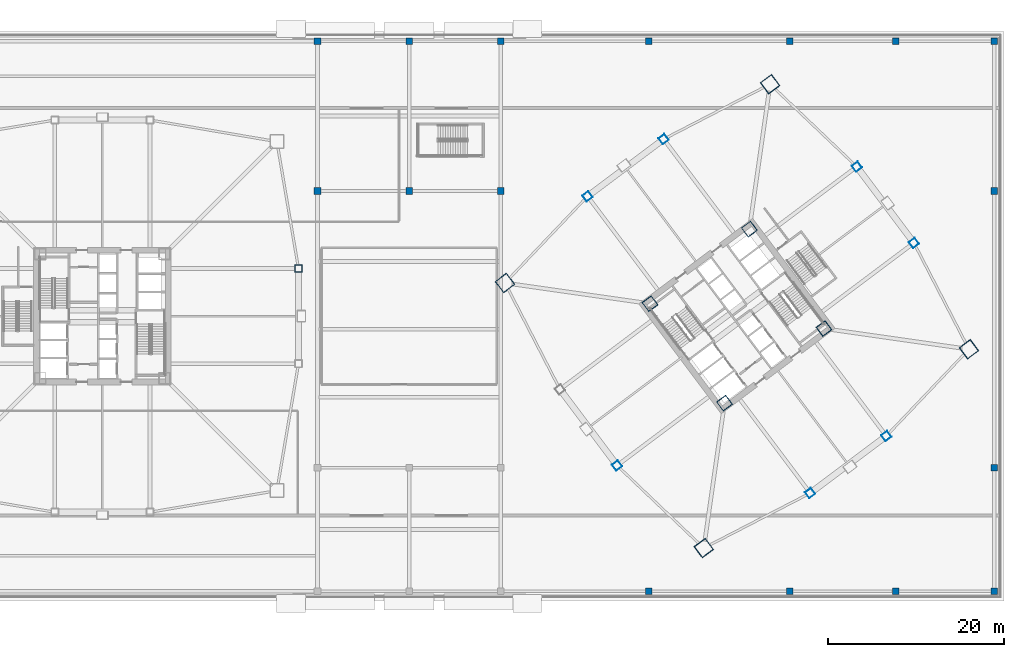
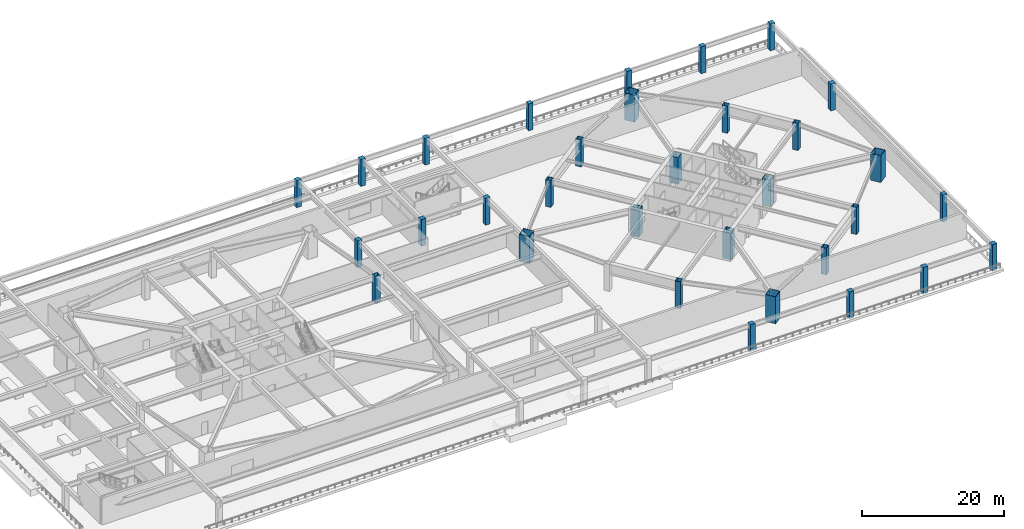
# One storey, part 2 of 21: 32 columns.
"""IFC4 building model written with IfcOpenShell, lengths in metres."""

import ifcopenshell
import ifcopenshell.guid

model = None  # the IFC model being written
_history = None  # IfcOwnerHistory: only IFC2X3 demands one
_inside = {}  # id of a spatial element -> (the spatial element, [elements in it])
_under = {}  # id of a project, library or spatial element -> (it, [spatial elements below it])
_declared = {}  # id of a project -> (the project, [libraries it declares])
_typed = {}  # id of a type object -> (the type object, [elements of that type])
_made_of = {}  # id of a material, layer set ... -> (it, [elements and type objects made of it])


def new_model(schema):
    """Start an empty IFC model of exactly this schema.

    Asked for "IFC4X3", IfcOpenShell would pick the latest addendum, in which some entities
    have other attributes; the version numbers below select the first issue.
    IFC2X3 requires an IfcOwnerHistory on every rooted entity: one is made here for all.
    """
    global model, _history
    if schema == "IFC4X3":
        model = ifcopenshell.file(schema_version=(4, 3, 0, 0))
    else:
        model = ifcopenshell.file(schema=schema)
    _inside.clear()
    _under.clear()
    _declared.clear()
    _typed.clear()
    _made_of.clear()
    _history = None
    if model.schema == "IFC2X3":
        org = make("IfcOrganization", Name="unknown")
        user = make(
            "IfcPersonAndOrganization",
            ThePerson=make("IfcPerson", FamilyName="unknown"),
            TheOrganization=org,
        )
        app = make(
            "IfcApplication",
            ApplicationDeveloper=org,
            Version="unknown",
            ApplicationFullName="unknown",
            ApplicationIdentifier="unknown",
        )
        _history = make(
            "IfcOwnerHistory",
            OwningUser=user,
            OwningApplication=app,
            ChangeAction="ADDED",
            CreationDate=0,
        )
    return model


def make(cls, **values):
    """One entity of the class cls with the attributes given. An attribute that is None is left unset."""
    return model.create_entity(
        cls, **{name: value for name, value in values.items() if value is not None}
    )


def rooted(cls, **values):
    """An entity with a GlobalId (a new one), such as an element, a storey or a relation."""
    return make(cls, GlobalId=ifcopenshell.guid.new(), OwnerHistory=_history, **values)


def si_unit(unit_type, name, prefix=None):
    """IfcSIUnit, for example si_unit("LENGTHUNIT", "METRE", prefix="MILLI")."""
    return make("IfcSIUnit", UnitType=unit_type, Prefix=prefix, Name=name)


def assignment(units):
    """IfcUnitAssignment: the units of a project."""
    return None if units is None else make("IfcUnitAssignment", Units=units)


def point(xyz):
    """IfcCartesianPoint."""
    return None if xyz is None else make("IfcCartesianPoint", Coordinates=xyz)


def direction(xyz):
    """IfcDirection."""
    return None if xyz is None else make("IfcDirection", DirectionRatios=xyz)


def frame(location, z_axis=None, x_axis=None):
    """IfcAxis2Placement3D, a coordinate frame: its origin and axes. An axis left out is left unset."""
    return make(
        "IfcAxis2Placement3D",
        Location=point(location),
        Axis=direction(z_axis),
        RefDirection=direction(x_axis),
    )


def frame_2d(location, x_axis=None):
    """IfcAxis2Placement2D, a coordinate frame in the plane: its origin and x axis."""
    return make(
        "IfcAxis2Placement2D", Location=point(location), RefDirection=direction(x_axis)
    )


def origin():
    """The frame at (0, 0, 0) with its axes left unset."""
    return frame((0.0, 0.0, 0.0))


def origin_2d():
    """The frame at (0, 0) in the plane with its x axis left unset."""
    return frame_2d((0.0, 0.0))


def place(relative_to, where):
    """IfcLocalPlacement: puts the frame where relative to a parent placement (None: the world)."""
    return make(
        "IfcLocalPlacement", PlacementRelTo=relative_to, RelativePlacement=where
    )


def context(
    kind, dimensions, precision=None, world=None, true_north=None, identifier=None
):
    """IfcGeometricRepresentationContext, for example the 3D "Model" context."""
    return make(
        "IfcGeometricRepresentationContext",
        ContextIdentifier=identifier,
        ContextType=kind,
        CoordinateSpaceDimension=dimensions,
        Precision=precision,
        WorldCoordinateSystem=world,
        TrueNorth=true_north,
    )


def subcontext(parent, identifier, kind, view, scale=None):
    """IfcGeometricRepresentationSubContext, for example "Body" below "Model"."""
    return make(
        "IfcGeometricRepresentationSubContext",
        ContextIdentifier=identifier,
        ContextType=kind,
        ParentContext=parent,
        TargetScale=scale,
        TargetView=view,
    )


def project(units=None, contexts=None):
    """IfcProject with its units and contexts."""
    return rooted(
        "IfcProject",
        Name="project",
        RepresentationContexts=contexts,
        UnitsInContext=assignment(units),
    )


def spatial(cls, under=None, at=None, **own):
    """A site, building, storey or space (cls), placed at a placement, below another one or the project."""
    s = rooted(cls, ObjectPlacement=at, **own)
    if under is not None:
        _under.setdefault(under.id(), (under, []))[1].append(s)
    return s


def profile(cls, at=None, kind="AREA", **sizes):
    """A parametric profile (cls). Its sizes go by their IFC names, for example OverallWidth=200.0."""
    return make(cls, ProfileType=kind, Position=at, **sizes)


def rectangle(**sizes):
    """IfcRectangleProfileDef."""
    return profile("IfcRectangleProfileDef", **sizes)


def hollow_rectangle(**sizes):
    """IfcRectangleHollowProfileDef."""
    return profile("IfcRectangleHollowProfileDef", **sizes)


def extrude(swept, where, along, depth):
    """IfcExtrudedAreaSolid: the profile swept, set in the frame where, extruded along a direction by depth."""
    return make(
        "IfcExtrudedAreaSolid",
        SweptArea=swept,
        Position=where,
        ExtrudedDirection=direction(along),
        Depth=depth,
    )


def shape(context_of_items, identifier, shape_type, items):
    """IfcShapeRepresentation: the items that make up one representation, for example the "Body"."""
    return make(
        "IfcShapeRepresentation",
        ContextOfItems=context_of_items,
        RepresentationIdentifier=identifier,
        RepresentationType=shape_type,
        Items=items,
    )


def material(Name=None, Category=None):
    """IfcMaterial."""
    return make("IfcMaterial", Name=Name, Category=Category)


def material_profile(
    of_material, cross_section, Name=None, Category=None, Priority=None
):
    """IfcMaterialProfile: a cross section and its material."""
    return make(
        "IfcMaterialProfile",
        Name=Name,
        Material=of_material,
        Profile=cross_section,
        Priority=Priority,
        Category=Category,
    )


def profile_set(profiles, Name=None, composite=None):
    """IfcMaterialProfileSet."""
    return make(
        "IfcMaterialProfileSet",
        Name=Name,
        MaterialProfiles=profiles,
        CompositeProfile=composite,
    )


def made_of(thing, what):
    """Note that an element or type object is made of a material, layer set ...; save() writes the relation."""
    if what is not None:
        _made_of.setdefault(what.id(), (what, []))[1].append(thing)
    return thing


def type_object(cls, material=None, **own):
    """A type object (cls), such as IfcWallType, which elements share."""
    return made_of(rooted(cls, **own), material)


def element(
    cls,
    number,
    at=None,
    inside=None,
    cuts=None,
    type_object=None,
    material=None,
    context=None,
    identifier="Body",
    shape_type=None,
    held_by="IfcProductDefinitionShape",
    body=None,
    shapes=None,
    **own,
):
    """One element of the class cls, such as IfcWall. Its Tag is "e" and its number.

    at: its placement. inside: the storey or other place that contains it. cuts: it is an
    opening in that element (IfcRelVoidsElement). A single representation is given by context,
    identifier, shape_type and body (its items); several are given by shapes. held_by: the class
    of the entity that holds the representations. save() writes the other relations.
    """
    e = rooted(cls, Tag="e%d" % number, ObjectPlacement=at, **own)
    if body is not None:
        shapes = [shape(context, identifier, shape_type, body)]
    if shapes is not None:
        e.Representation = make(held_by, Representations=shapes)
    if inside is not None:
        _inside.setdefault(inside.id(), (inside, []))[1].append(e)
    if cuts is not None:
        rooted(
            "IfcRelVoidsElement", RelatingBuildingElement=cuts, RelatedOpeningElement=e
        )
    if type_object is not None:
        _typed.setdefault(type_object.id(), (type_object, []))[1].append(e)
    return made_of(e, material)


def aggregate(whole, parts):
    """IfcRelAggregates: a whole, such as a stair, and the parts it consists of."""
    return rooted("IfcRelAggregates", RelatingObject=whole, RelatedObjects=parts)


def save(model, path):
    """Write the relations noted so far, then the file.

    IfcRelAggregates (storeys below a building ...), IfcRelContainedInSpatialStructure (elements
    in a storey), IfcRelDefinesByType, IfcRelAssociatesMaterial and IfcRelDeclares: one each for
    every whole, place, type object, material and project.
    """
    for whole, parts in _under.values():
        aggregate(whole, parts)
    for where, things in _inside.values():
        rooted(
            "IfcRelContainedInSpatialStructure",
            RelatedElements=things,
            RelatingStructure=where,
        )
    for kind, things in _typed.values():
        rooted("IfcRelDefinesByType", RelatedObjects=things, RelatingType=kind)
    for what, things in _made_of.values():
        rooted("IfcRelAssociatesMaterial", RelatedObjects=things, RelatingMaterial=what)
    for by, libraries in _declared.values():
        rooted("IfcRelDeclares", RelatingContext=by, RelatedDefinitions=libraries)
    model.write(path)


model = new_model("IFC4")

# Units and contexts
model_context = context("Model", 3, precision=1e-05, world=origin(), true_north=direction((0.0, 1.0)))
body_context = subcontext(model_context, "Body", "Model", "MODEL_VIEW")
ifc_project = project(units=[si_unit("LENGTHUNIT", "METRE"), si_unit("AREAUNIT", "SQUARE_METRE"), si_unit("VOLUMEUNIT", "CUBIC_METRE"), si_unit("PLANEANGLEUNIT", "RADIAN"), si_unit("MASSUNIT", "GRAM", prefix="KILO")], contexts=[model_context])

# Site, building, storey
site_placement = place(None, origin())
site = spatial("IfcSite", under=ifc_project, at=site_placement, CompositionType="ELEMENT")
building_placement = place(site_placement, origin())
building = spatial("IfcBuilding", under=site, at=building_placement, Name="Tashvorn Skyway Center", CompositionType="ELEMENT")
storey_placement = place(building_placement, frame((0.0, 0.0, 19.800048828125)))
storey = spatial("IfcBuildingStorey", under=building, at=storey_placement, Name="L04", CompositionType="ELEMENT", Elevation=19.800048828125)

# Columns
ifc_material_1 = material(Name="Steel ASTM A572 Grade 50", Category="steel")
ifc_material_profile_1 = material_profile(ifc_material_1, hollow_rectangle(XDim=1.300048828125, YDim=1.300048828125, WallThickness=0.050048828125, at=origin_2d()), Name="BOX1300x1300x50")
ifc_profile_set_1 = profile_set([ifc_material_profile_1], Name="Steel ASTM A572 Grade 50")
column_type_1 = type_object("IfcColumnType", Name="COL-BOX1300x1300x50", PredefinedType="COLUMN", material=ifc_profile_set_1)
for number, where, z_axis, x_axis, name in (
    (1, (112.590087890625, 22.1298828125, 0.0), (0.0, 0.0, 1.0), (0.799999996291, 0.600000004945, 0.0), "Tower 2 L04 Core Corner Column CC-SW"),
    (2, (123.8701171875, 30.590087890625, 0.0), (0.0, 0.0, 1.0), (0.799999996291, 0.600000004945, 0.0), "Tower 2 L04 Core Corner Column CC-SE"),
    (3, (115.409912109375, 41.8701171875, 0.0), (0.0, 0.0, 1.0), (0.799999996291, 0.600000004945, 0.0), "Tower 2 L04 Core Corner Column CC-NE"),
    (4, (104.1298828125, 33.409912109375, 0.0), (0.0, 0.0, 1.0), (0.799999996291, 0.600000004945, 0.0), "Tower 2 L04 Core Corner Column CC-NW"),
):
    element("IfcColumn", number, at=place(storey_placement, frame(where, z_axis=z_axis, x_axis=x_axis)), inside=storey, type_object=column_type_1, Name=name, PredefinedType="COLUMN", context=body_context, shape_type="SweptSolid", body=[
        extrude(hollow_rectangle(XDim=1.300048828125, YDim=1.300048828125, WallThickness=0.050048828125, at=origin_2d()), origin(), (0.0, 0.0, 1.0), 4.599853515625),
    ])
ifc_material_profile_2 = material_profile(ifc_material_1, hollow_rectangle(XDim=1.60009765625, YDim=1.60009765625, WallThickness=0.06005859375, at=origin_2d()), Name="BOX1600x1600x60")
ifc_profile_set_2 = profile_set([ifc_material_profile_2], Name="Steel ASTM A572 Grade 50")
column_type_2 = type_object("IfcColumnType", Name="COL-BOX1600x1600x60", PredefinedType="COLUMN", material=ifc_profile_set_2)
for number, where, z_axis, x_axis, name in (
    (5, (110.239990234375, 5.679931640625, 0.0), (0.0, 0.0, 1.0), (0.799999996291, 0.600000004945, 0.0), "Tower 2 L04 Mega-Column MC-SW"),
    (6, (140.320068359375, 28.239990234375, 0.0), (0.0, 0.0, 1.0), (0.799999996291, 0.600000004945, 0.0), "Tower 2 L04 Mega-Column MC-SE"),
    (7, (117.760009765625, 58.320068359375, 0.0), (0.0, 0.0, 1.0), (0.799999996291, 0.600000004945, 0.0), "Tower 2 L04 Mega-Column MC-NE"),
    (8, (87.679931640625, 35.760009765625, 0.0), (0.0, 0.0, 1.0), (0.799999996291, 0.600000004945, 0.0), "Tower 2 L04 Mega-Column MC-NW"),
):
    element("IfcColumn", number, at=place(storey_placement, frame(where, z_axis=z_axis, x_axis=x_axis)), inside=storey, type_object=column_type_2, Name=name, PredefinedType="COLUMN", context=body_context, shape_type="SweptSolid", body=[
        extrude(hollow_rectangle(XDim=1.60009765625, YDim=1.60009765625, WallThickness=0.06005859375, at=origin_2d()), origin(), (0.0, 0.0, 1.0), 4.599853515625),
    ])
ifc_material_profile_3 = material_profile(ifc_material_1, hollow_rectangle(XDim=0.85009765625, YDim=0.85009765625, WallThickness=0.034912109375, at=origin_2d()), Name="BOX850x850x35")
ifc_profile_set_3 = profile_set([ifc_material_profile_3], Name="Steel ASTM A572 Grade 50")
column_type_3 = type_object("IfcColumnType", Name="COL-BOX850x850x35", PredefinedType="COLUMN", material=ifc_profile_set_3)
for number, where, z_axis, x_axis, name in (
    (9, (64.25, 37.39990234375, 0.0), (0.0, 0.0, 1.0), (1.0, 0.0, 0.0), "Tower 1 L04 Perimeter Column FC-E2"),
    (10, (122.31005859375, 11.919921875, 0.0), (0.0, 0.0, 1.0), (0.799999996291, 0.600000004945, 0.0), "Tower 2 L04 Perimeter Column FC-S1"),
    (11, (130.949951171875, 18.39990234375, 0.0), (0.0, 0.0, 1.0), (0.799999996291, 0.600000004945, 0.0), "Tower 2 L04 Perimeter Column FC-S2"),
    (12, (134.080078125, 40.31005859375, 0.0), (0.0, 0.0, 1.0), (0.799999996291, 0.600000004945, 0.0), "Tower 2 L04 Perimeter Column FC-E1"),
    (13, (127.60009765625, 48.949951171875, 0.0), (0.0, 0.0, 1.0), (0.799999996291, 0.600000004945, 0.0), "Tower 2 L04 Perimeter Column FC-E2"),
    (14, (105.68994140625, 52.080078125, 0.0), (0.0, 0.0, 1.0), (0.799999996291, 0.600000004945, 0.0), "Tower 2 L04 Perimeter Column FC-N1"),
    (15, (97.050048828125, 45.60009765625, 0.0), (0.0, 0.0, 1.0), (0.799999996291, 0.600000004945, 0.0), "Tower 2 L04 Perimeter Column FC-N2"),
    (16, (100.39990234375, 15.050048828125, 0.0), (0.0, 0.0, 1.0), (0.799999996291, 0.600000004945, 0.0), "Tower 2 L04 Perimeter Column FC-W2"),
):
    element("IfcColumn", number, at=place(storey_placement, frame(where, z_axis=z_axis, x_axis=x_axis)), inside=storey, type_object=column_type_3, Name=name, PredefinedType="COLUMN", context=body_context, shape_type="SweptSolid", body=[
        extrude(hollow_rectangle(XDim=0.85009765625, YDim=0.85009765625, WallThickness=0.034912109375, at=origin_2d()), origin(), (0.0, 0.0, 1.0), 4.599853515625),
    ])
ifc_material_2 = material(Name="Concrete C50/60", Category="concrete")
ifc_material_profile_4 = material_profile(ifc_material_2, rectangle(XDim=0.75, YDim=0.75, at=origin_2d()), Name="RC750x750")
ifc_profile_set_4 = profile_set([ifc_material_profile_4], Name="Concrete C50/60")
column_type_4 = type_object("IfcColumnType", Name="COL-RC750x750", PredefinedType="COLUMN", material=ifc_profile_set_4)
for number, where, z_axis, x_axis, name in (
    (17, (66.39990234375, 63.199951171875, 0.0), (0.0, 0.0, 1.0), (1.0, 0.0, 0.0), "L04 Podium Column PC-04-2"),
    (18, (76.800048828125, 63.199951171875, 0.0), (0.0, 0.0, 1.0), (1.0, 0.0, 0.0), "L04 Podium Column PC-05-2"),
    (19, (87.199951171875, 63.199951171875, 0.0), (0.0, 0.0, 1.0), (1.0, 0.0, 0.0), "L04 Podium Column PC-06-2"),
    (20, (104.0, 0.800048828125, 0.0), (0.0, 0.0, 1.0), (1.0, 0.0, 0.0), "L04 Podium Column PC-07-1"),
    (21, (104.0, 63.199951171875, 0.0), (0.0, 0.0, 1.0), (1.0, 0.0, 0.0), "L04 Podium Column PC-07-2"),
    (22, (120.0, 0.800048828125, 0.0), (0.0, 0.0, 1.0), (1.0, 0.0, 0.0), "L04 Podium Column PC-08-1"),
    (23, (120.0, 63.199951171875, 0.0), (0.0, 0.0, 1.0), (1.0, 0.0, 0.0), "L04 Podium Column PC-08-2"),
    (24, (132.0, 0.800048828125, 0.0), (0.0, 0.0, 1.0), (1.0, 0.0, 0.0), "L04 Podium Column PC-09-1"),
    (25, (132.0, 63.199951171875, 0.0), (0.0, 0.0, 1.0), (1.0, 0.0, 0.0), "L04 Podium Column PC-09-2"),
    (26, (143.199951171875, 0.800048828125, 0.0), (0.0, 0.0, 1.0), (1.0, 0.0, 0.0), "L04 Podium Column PC-10-1"),
    (27, (143.199951171875, 63.199951171875, 0.0), (0.0, 0.0, 1.0), (1.0, 0.0, 0.0), "L04 Podium Column PC-10-2"),
    (28, (66.39990234375, 46.199951171875, 0.0), (0.0, 0.0, 1.0), (1.0, 0.0, 0.0), "L04 Podium Column PIC-03-2"),
    (29, (76.800048828125, 46.199951171875, 0.0), (0.0, 0.0, 1.0), (1.0, 0.0, 0.0), "L04 Podium Column PIC-04-2"),
    (30, (87.199951171875, 46.199951171875, 0.0), (0.0, 0.0, 1.0), (1.0, 0.0, 0.0), "L04 Podium Column PIC-05-2"),
    (31, (143.199951171875, 14.800048828125, 0.0), (0.0, 0.0, 1.0), (1.0, 0.0, 0.0), "L04 Podium Column PIC-06-1"),
    (32, (143.199951171875, 46.199951171875, 0.0), (0.0, 0.0, 1.0), (1.0, 0.0, 0.0), "L04 Podium Column PIC-06-2"),
):
    element("IfcColumn", number, at=place(storey_placement, frame(where, z_axis=z_axis, x_axis=x_axis)), inside=storey, type_object=column_type_4, Name=name, PredefinedType="COLUMN", context=body_context, shape_type="SweptSolid", body=[
        extrude(rectangle(XDim=0.75, YDim=0.75, at=origin_2d()), origin(), (0.0, 0.0, 1.0), 4.599853515625),
    ])

save(model, "model.ifc")
